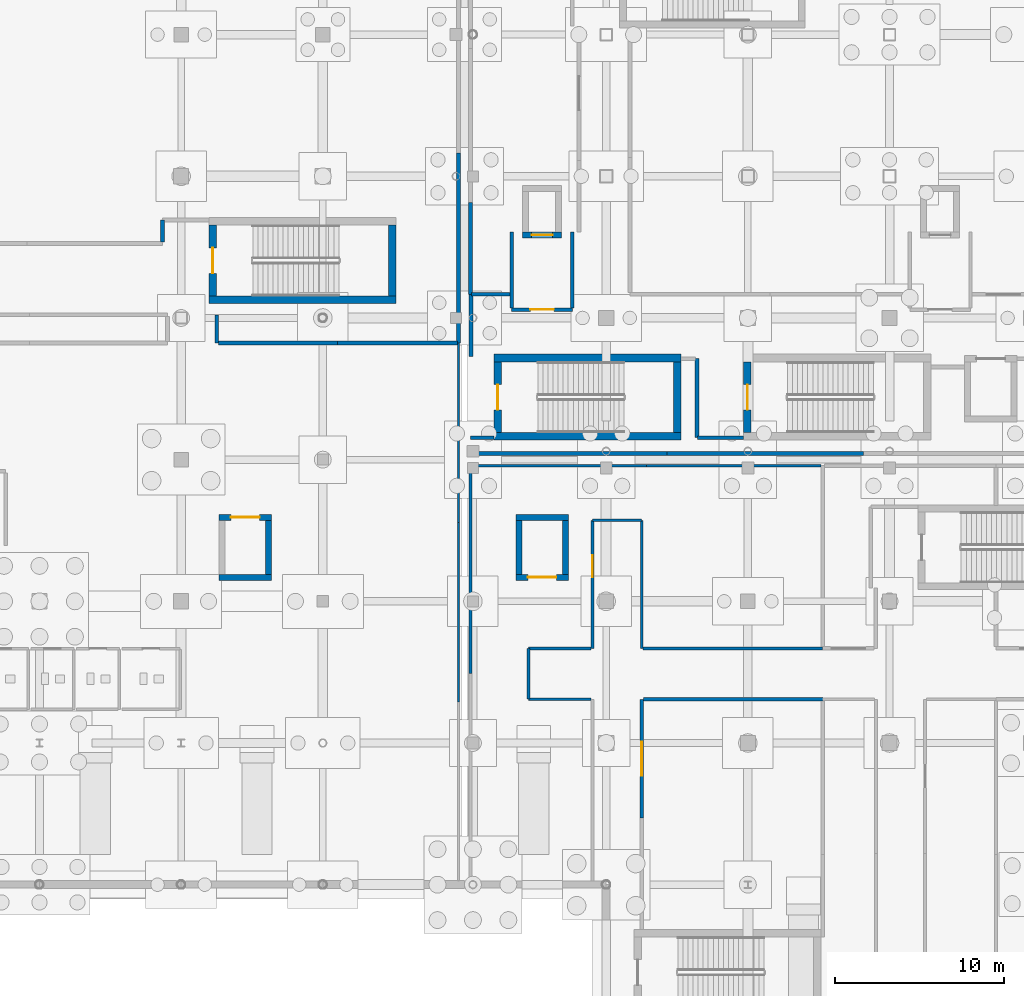
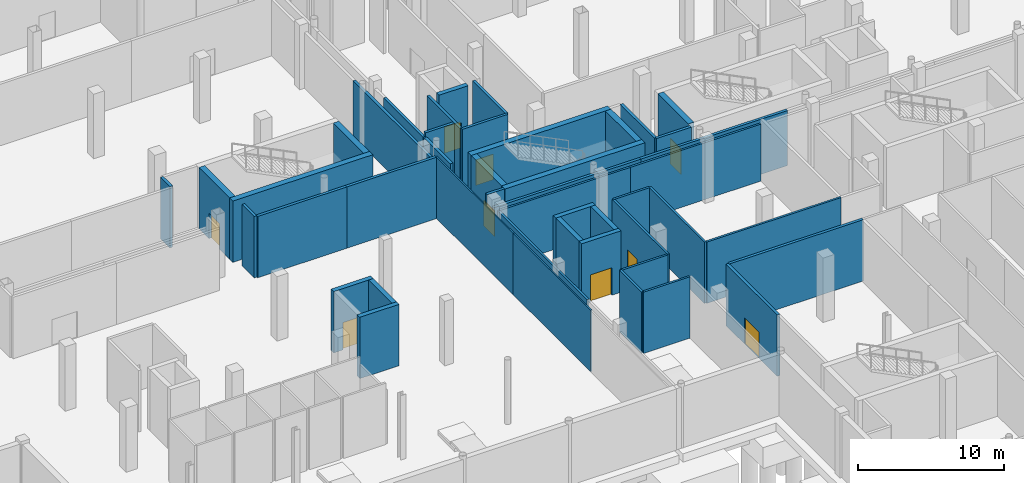
# One storey, part 29 of 49: 46 walls, 9 doors, 9 openings.
"""IFC4 building model written with IfcOpenShell, lengths in metres."""

from ifc_helpers import new_model, si_unit, direction, frame, frame_2d, origin, place, context, subcontext, project, spatial, rectangle, extrude, material, layer, layer_set, type_object, element, fill, save


model = new_model("IFC4")

# Units and contexts
model_context = context("Model", 3, precision=1e-05, world=origin(), true_north=direction((0.0, 1.0)))
body_context = subcontext(model_context, "Body", "Model", "MODEL_VIEW")
ifc_project = project(units=[si_unit("LENGTHUNIT", "METRE"), si_unit("AREAUNIT", "SQUARE_METRE"), si_unit("VOLUMEUNIT", "CUBIC_METRE"), si_unit("PLANEANGLEUNIT", "RADIAN"), si_unit("MASSUNIT", "GRAM", prefix="KILO"), si_unit("THERMODYNAMICTEMPERATUREUNIT", "KELVIN")], contexts=[model_context])

# Site, building, storey
site_placement = place(None, origin())
site = spatial("IfcSite", under=ifc_project, at=site_placement, CompositionType="ELEMENT")
building_placement = place(site_placement, origin())
building = spatial("IfcBuilding", under=site, at=building_placement, Name="Lustrewick Department Store", CompositionType="ELEMENT")
storey_placement = place(building_placement, frame((0.0, 0.0, -5.39990234375)))
storey = spatial("IfcBuildingStorey", under=building, at=storey_placement, Name="B1", CompositionType="ELEMENT", Elevation=-5.39990234375)

# Walls
ifc_material_1 = material(Name="Autoclaved aerated concrete blockwork and fire board", Category="masonry")
ifc_layer_1 = layer(ifc_material_1, 0.219970703125, Name="Autoclaved aerated concrete blockwork and fire board")
ifc_layer_set_1 = layer_set([ifc_layer_1], Name="Autoclaved aerated concrete blockwork and fire board")
wall_type_1 = type_object("IfcWallType", Name="PW01", PredefinedType="PARTITIONING", material=ifc_layer_set_1)
wall_1_placement = place(storey_placement, frame((91.2900390625, 63.31494140625, 0.0), z_axis=(0.0, 0.0, 1.0), x_axis=(0.0, 1.0, 0.0)))
element("IfcWall", 1, at=wall_1_placement, inside=storey, type_object=wall_type_1, Name="B1 Forward Merchandise Stockroom PW01", PredefinedType="PARTITIONING", context=body_context, shape_type="SweptSolid", body=[
    extrude(rectangle(XDim=1.28515625, YDim=0.219970703125, at=frame_2d((0.642578125, 0.0))), origin(), (0.0, 0.0, 1.0), 5.14501953125),
])
wall_2_placement = place(storey_placement, frame((94.510009765625, 58.989990234375, 0.0), z_axis=(0.0, 0.0, 1.0), x_axis=(0.0, -1.0, 0.0)))
element("IfcWall", 2, at=wall_2_placement, inside=storey, type_object=wall_type_1, Name="B1 Forward Merchandise Stockroom PW01", PredefinedType="PARTITIONING", context=body_context, shape_type="SweptSolid", body=[
    extrude(rectangle(XDim=1.67626953125, YDim=0.219970703125, at=frame_2d((0.838134765625, 0.0))), origin(), (0.0, 0.0, 1.0), 5.14501953125),
])
wall_3_placement = place(storey_placement, frame((94.614990234375, 57.313720703125, 0.0), z_axis=(0.0, 0.0, 1.0), x_axis=(1.0, 0.0, 0.0)))
element("IfcWall", 3, at=wall_3_placement, inside=storey, type_object=wall_type_1, Name="B1 Forward Merchandise Stockroom PW01", PredefinedType="PARTITIONING", context=body_context, shape_type="SweptSolid", body=[
    extrude(rectangle(XDim=7.06005859375, YDim=0.219970703125, at=frame_2d((3.530029296875, 0.0))), origin(), (0.0, 0.0, 1.0), 5.14501953125),
])
wall_4_placement = place(storey_placement, frame((101.675048828125, 57.313720703125, 0.0), z_axis=(0.0, 0.0, 1.0), x_axis=(1.0, 0.0, 0.0)))
element("IfcWall", 4, at=wall_4_placement, inside=storey, type_object=wall_type_1, Name="B1 Forward Merchandise Stockroom PW01", PredefinedType="PARTITIONING", context=body_context, shape_type="SweptSolid", body=[
    extrude(rectangle(XDim=7.117431640625, YDim=0.219970703125, at=frame_2d((3.55859375, 0.0))), origin(), (0.0, 0.0, 1.0), 5.14501953125),
])
wall_5_placement = place(storey_placement, frame((108.840087890625, 57.313720703125, 0.0), z_axis=(0.0, 0.0, 1.0), x_axis=(0.0, 1.0, 0.0)))
element("IfcWall", 5, at=wall_5_placement, inside=storey, type_object=wall_type_1, Name="B1 Forward Merchandise Stockroom PW01", PredefinedType="PARTITIONING", context=body_context, shape_type="SweptSolid", body=[
    extrude(rectangle(XDim=11.266357421875, YDim=0.219970703125, at=frame_2d((5.63330078125, 0.0))), origin(), (0.0, 0.0, 1.0), 4.681884765625),
])

# Wall, opening, door
wall_6_placement = place(storey_placement, frame((119.7099609375, 36.18994140625, 0.0), z_axis=(0.0, 0.0, 1.0), x_axis=(0.0, -1.0, 0.0)))
wall_6 = element("IfcWall", 6, at=wall_6_placement, inside=storey, type_object=wall_type_1, Name="B1 V3 Reserve Stockroom 1 PW01", PredefinedType="PARTITIONING", context=body_context, shape_type="SweptSolid", body=[
    extrude(rectangle(XDim=7.0400390625, YDim=0.219970703125, at=frame_2d((3.52001953125, 0.0))), origin(), (0.0, 0.0, 1.0), 5.14501953125),
])
opening_1_placement = place(wall_6_placement, frame((2.52001953125, 0.0, 0.0)))
opening_1 = element("IfcOpeningElement", 7, at=opening_1_placement, cuts=wall_6, Name="Opening D-B1-060", PredefinedType="OPENING", context=body_context, shape_type="SweptSolid", body=[
    extrude(rectangle(XDim=2.0, YDim=2.199951171875, at=frame_2d((1.0, 1.10009765625))), frame((0.0, 0.1201171875, 0.0), z_axis=(0.0, -1.0, 0.0), x_axis=(1.0, 0.0, 0.0)), (0.0, 0.0, 1.0), 0.239990234375),
])
ifc_material_2 = material(Name="Steel fire door Class A EI 90", Category="steel")
door_type_1 = type_object("IfcDoorType", Name="DT-06", OperationType="NOTDEFINED", PredefinedType="DOOR", material=ifc_material_2)
door_1_placement = place(opening_1_placement, origin())
door_1 = element("IfcDoor", 8, at=door_1_placement, inside=storey, type_object=door_type_1, Name="B1 V3 Reserve Stockroom 1 Door D-B1-060", OperationType="DOUBLE_DOOR_SINGLE_SWING", OverallHeight=2.199951171875, OverallWidth=2.0, PredefinedType="DOOR", context=body_context, shape_type="SweptSolid", body=[
    extrude(rectangle(XDim=2.0, YDim=2.199951171875, at=frame_2d((1.0, 1.10009765625))), frame((0.0, 0.02490234375, 0.0), z_axis=(0.0, -1.0, 0.0), x_axis=(1.0, 0.0, 0.0)), (0.0, 0.0, 1.0), 0.050048828125),
])
fill(opening_1, door_1)

# Walls
wall_7_placement = place(storey_placement, frame((130.440185546875, 36.18994140625, 0.0), z_axis=(0.0, 0.0, 1.0), x_axis=(-1.0, 0.0, 0.0)))
element("IfcWall", 9, at=wall_7_placement, inside=storey, type_object=wall_type_1, Name="B1 V3 Reserve Stockroom 1 PW01", PredefinedType="PARTITIONING", context=body_context, shape_type="SweptSolid", body=[
    extrude(rectangle(XDim=10.625244140625, YDim=0.219970703125, at=frame_2d((5.3125, 0.0))), origin(), (0.0, 0.0, 1.0), 5.14501953125),
])
wall_8_placement = place(storey_placement, frame((109.590087890625, 56.510009765625, 0.0), z_axis=(0.0, 0.0, 1.0), x_axis=(0.0, 1.0, 0.0)))
element("IfcWall", 10, at=wall_8_placement, inside=storey, type_object=wall_type_1, Name="B1 V4 Reserve Stockroom 1 PW01", PredefinedType="PARTITIONING", context=body_context, shape_type="SweptSolid", body=[
    extrude(rectangle(XDim=3.68994140625, YDim=0.219970703125, at=frame_2d((1.844970703125, 0.0))), origin(), (0.0, 0.0, 1.0), 4.77197265625),
])
wall_9_placement = place(storey_placement, frame((109.60009765625, 60.2099609375, 0.0), z_axis=(0.0, 0.0, 1.0), x_axis=(1.0, 0.0, 0.0)))
element("IfcWall", 11, at=wall_9_placement, inside=storey, type_object=wall_type_1, Name="B1 V4 Reserve Stockroom 1 PW01", PredefinedType="PARTITIONING", context=body_context, shape_type="SweptSolid", body=[
    extrude(rectangle(XDim=2.302490234375, YDim=0.219970703125, at=frame_2d((1.1513671875, 0.0))), origin(), (0.0, 0.0, 1.0), 5.14501953125),
])
wall_10_placement = place(storey_placement, frame((109.56005859375, 65.635986328125, 0.0), z_axis=(0.0, 0.0, 1.0), x_axis=(0.0, -1.0, 0.0)))
element("IfcWall", 12, at=wall_10_placement, inside=storey, type_object=wall_type_1, Name="B1 V4 Reserve Stockroom 1 PW01", PredefinedType="PARTITIONING", context=body_context, shape_type="SweptSolid", body=[
    extrude(rectangle(XDim=5.43603515625, YDim=0.219970703125, at=frame_2d((2.718017578125, 0.0))), origin(), (0.0, 0.0, 1.0), 4.77197265625),
])
wall_11_placement = place(storey_placement, frame((122.989990234375, 51.699951171875, 0.0), z_axis=(0.0, 0.0, 1.0), x_axis=(0.0, 1.0, 0.0)))
element("IfcWall", 13, at=wall_11_placement, inside=storey, type_object=wall_type_1, Name="B1 Central Merchandise Stockroom PW01", PredefinedType="PARTITIONING", context=body_context, shape_type="SweptSolid", body=[
    extrude(rectangle(XDim=4.68994140625, YDim=0.219970703125, at=frame_2d((2.344970703125, 0.0))), origin(), (0.0, 0.0, 1.0), 5.14501953125),
])
wall_12_placement = place(storey_placement, frame((125.75, 51.68994140625, 0.0), z_axis=(0.0, 0.0, 1.0), x_axis=(-1.0, 0.0, 0.0)))
element("IfcWall", 14, at=wall_12_placement, inside=storey, type_object=wall_type_1, Name="B1 Central Merchandise Stockroom PW01", PredefinedType="PARTITIONING", context=body_context, shape_type="SweptSolid", body=[
    extrude(rectangle(XDim=2.75, YDim=0.219970703125, at=frame_2d((1.375, 0.0))), origin(), (0.0, 0.0, 1.0), 5.14501953125),
])
wall_13_placement = place(storey_placement, frame((110.949951171875, 51.68994140625, 0.0), z_axis=(0.0, 0.0, 1.0), x_axis=(-1.0, 0.0, 0.0)))
element("IfcWall", 15, at=wall_13_placement, inside=storey, type_object=wall_type_1, Name="B1 Central Merchandise Stockroom PW01", PredefinedType="PARTITIONING", context=body_context, shape_type="SweptSolid", body=[
    extrude(rectangle(XDim=1.389892578125, YDim=0.219970703125, at=frame_2d((0.69482421875, 0.0))), origin(), (0.0, 0.0, 1.0), 5.14501953125),
])
for number, where, z_axis, x_axis, name in (
    (16, (109.56005859375, 50.760009765625, 0.0), (0.0, 0.0, 1.0), (1.0, 0.0, 0.0), "B1 Central Merchandise Stockroom PW01"),
    (17, (121.2060546875, 50.760009765625, 0.0), (0.0, 0.0, 1.0), (1.0, 0.0, 0.0), "B1 Central Merchandise Stockroom PW01"),
):
    element("IfcWall", number, at=place(storey_placement, frame(where, z_axis=z_axis, x_axis=x_axis)), inside=storey, type_object=wall_type_1, Name=name, PredefinedType="PARTITIONING", context=body_context, shape_type="SweptSolid", body=[
        extrude(rectangle(XDim=11.64599609375, YDim=0.219970703125, at=frame_2d((5.822998046875, 0.0))), origin(), (0.0, 0.0, 1.0), 4.615966796875),
    ])

# Wall, opening, door
ifc_layer_2 = layer(ifc_material_1, 0.205078125, Name="Autoclaved aerated concrete blockwork and fire board")
ifc_layer_set_2 = layer_set([ifc_layer_2], Name="Autoclaved aerated concrete blockwork and fire board")
wall_type_2 = type_object("IfcWallType", Name="PW02", PredefinedType="PARTITIONING", material=ifc_layer_set_2)
wall_14_placement = place(storey_placement, frame((112.0, 59.300048828125, 0.0), z_axis=(0.0, 0.0, 1.0), x_axis=(1.0, 0.0, 0.0)))
wall_14 = element("IfcWall", 18, at=wall_14_placement, inside=storey, type_object=wall_type_2, Name="B1 Firefighting Lift Lobby FFL-04 PW02", PredefinedType="PARTITIONING", context=body_context, shape_type="SweptSolid", body=[
    extrude(rectangle(XDim=3.60009765625, YDim=0.205078125, at=frame_2d((1.800048828125, 0.0))), origin(), (0.0, 0.0, 1.0), 5.14501953125),
])
opening_2_placement = place(wall_14_placement, frame((1.10009765625, 0.0, 0.0)))
opening_2 = element("IfcOpeningElement", 19, at=opening_2_placement, cuts=wall_14, Name="Opening D-B1-066", PredefinedType="OPENING", context=body_context, shape_type="SweptSolid", body=[
    extrude(rectangle(XDim=1.39990234375, YDim=2.14990234375, at=frame_2d((0.699951171875, 1.074951171875))), frame((0.0, 0.112548828125, 0.0), z_axis=(0.0, -1.0, 0.0), x_axis=(1.0, 0.0, 0.0)), (0.0, 0.0, 1.0), 0.22509765625),
])
ifc_material_3 = material(Name="Steel fire door Class B EI 60", Category="steel")
door_type_2 = type_object("IfcDoorType", Name="DT-08", OperationType="NOTDEFINED", PredefinedType="DOOR", material=ifc_material_3)
door_2_placement = place(opening_2_placement, origin())
door_2 = element("IfcDoor", 20, at=door_2_placement, inside=storey, type_object=door_type_2, Name="B1 Firefighting Lift Lobby FFL-04 Door D-B1-066", OperationType="SINGLE_SWING_RIGHT", OverallHeight=2.14990234375, OverallWidth=1.39990234375, PredefinedType="DOOR", context=body_context, shape_type="SweptSolid", body=[
    extrude(rectangle(XDim=1.39990234375, YDim=2.14990234375, at=frame_2d((0.699951171875, 1.074951171875))), frame((0.0, 0.02490234375, 0.0), z_axis=(0.0, -1.0, 0.0), x_axis=(1.0, 0.0, 0.0)), (0.0, 0.0, 1.0), 0.050048828125),
])
fill(opening_2, door_2)

# Walls
for number, where, z_axis, x_axis, name in (
    (21, (115.60009765625, 59.3974609375, 0.0), (0.0, 0.0, 1.0), (0.0, 1.0, 0.0), "B1 Firefighting Lift Lobby FFL-04 PW02"),
    (22, (112.0, 63.89990234375, 0.0), (0.0, 0.0, 1.0), (0.0, -1.0, 0.0), "B1 Firefighting Lift Lobby FFL-04 PW02"),
):
    element("IfcWall", number, at=place(storey_placement, frame(where, z_axis=z_axis, x_axis=x_axis)), inside=storey, type_object=wall_type_2, Name=name, PredefinedType="PARTITIONING", context=body_context, shape_type="SweptSolid", body=[
        extrude(rectangle(XDim=4.50244140625, YDim=0.205078125, at=frame_2d((2.251220703125, 0.0))), origin(), (0.0, 0.0, 1.0), 5.14501953125),
    ])

# Wall, opening, door
ifc_material_4 = material(Name="Double-stud gypsum fire board with mineral wool", Category="gypsum")
ifc_layer_3 = layer(ifc_material_4, 0.1650390625, Name="Double-stud gypsum fire board with mineral wool")
ifc_layer_set_3 = layer_set([ifc_layer_3], Name="Double-stud gypsum fire board with mineral wool")
wall_type_3 = type_object("IfcWallType", Name="PW04", PredefinedType="PARTITIONING", material=ifc_layer_set_3)
wall_15_placement = place(storey_placement, frame((116.7900390625, 39.2099609375, 0.0), z_axis=(0.0, 0.0, 1.0), x_axis=(0.0, 1.0, 0.0)))
wall_15 = element("IfcWall", 23, at=wall_15_placement, inside=storey, type_object=wall_type_3, Name="B1 Chiller and Heat Exchange Plant PW04", PredefinedType="PARTITIONING", context=body_context, shape_type="SweptSolid", body=[
    extrude(rectangle(XDim=7.590087890625, YDim=0.1650390625, at=frame_2d((3.794921875, 0.0))), origin(), (0.0, 0.0, 1.0), 5.14501953125),
])
opening_3_placement = place(wall_15_placement, frame((4.20751953125, 0.0, 0.0)))
opening_3 = element("IfcOpeningElement", 24, at=opening_3_placement, cuts=wall_15, Name="Opening D-B1-062", PredefinedType="OPENING", context=body_context, shape_type="SweptSolid", body=[
    extrude(rectangle(XDim=1.300048828125, YDim=2.199951171875, at=frame_2d((0.64990234375, 1.10009765625))), frame((0.0, 0.092529296875, 0.0), z_axis=(0.0, -1.0, 0.0), x_axis=(1.0, 0.0, 0.0)), (0.0, 0.0, 1.0), 0.18505859375),
])
door_type_3 = type_object("IfcDoorType", Name="DT-13", OperationType="NOTDEFINED", PredefinedType="DOOR", material=ifc_material_2)
door_3_placement = place(opening_3_placement, origin())
door_3 = element("IfcDoor", 25, at=door_3_placement, inside=storey, type_object=door_type_3, Name="B1 Chiller and Heat Exchange Plant Door D-B1-062", OperationType="SINGLE_SWING_LEFT", OverallHeight=2.199951171875, OverallWidth=1.300048828125, PredefinedType="DOOR", context=body_context, shape_type="SweptSolid", body=[
    extrude(rectangle(XDim=1.300048828125, YDim=2.199951171875, at=frame_2d((0.64990234375, 1.10009765625))), frame((0.0, 0.02490234375, 0.0), z_axis=(0.0, -1.0, 0.0), x_axis=(1.0, 0.0, 0.0)), (0.0, 0.0, 1.0), 0.050048828125),
])
fill(opening_3, door_3)

# Walls
wall_16_placement = place(storey_placement, frame((119.7099609375, 46.800048828125, 0.0), z_axis=(0.0, 0.0, 1.0), x_axis=(0.0, -1.0, 0.0)))
element("IfcWall", 26, at=wall_16_placement, inside=storey, type_object=wall_type_3, Name="B1 Chiller and Heat Exchange Plant PW04", PredefinedType="PARTITIONING", context=body_context, shape_type="SweptSolid", body=[
    extrude(rectangle(XDim=7.590087890625, YDim=0.1650390625, at=frame_2d((3.794921875, 0.0))), origin(), (0.0, 0.0, 1.0), 5.14501953125),
])
wall_17_placement = place(storey_placement, frame((119.78759765625, 39.2099609375, 0.0), z_axis=(0.0, 0.0, 1.0), x_axis=(1.0, 0.0, 0.0)))
element("IfcWall", 27, at=wall_17_placement, inside=storey, type_object=wall_type_3, Name="B1 Chiller and Heat Exchange Plant PW04", PredefinedType="PARTITIONING", context=body_context, shape_type="SweptSolid", body=[
    extrude(rectangle(XDim=10.652587890625, YDim=0.1650390625, at=frame_2d((5.326171875, 0.0))), origin(), (0.0, 0.0, 1.0), 5.14501953125),
])
for number, where, z_axis, x_axis, name in (
    (28, (116.71240234375, 36.18994140625, 0.0), (0.0, 0.0, 1.0), (-1.0, 0.0, 0.0), "B1 Chiller and Heat Exchange Plant PW04"),
    (29, (113.0, 39.2099609375, 0.0), (0.0, 0.0, 1.0), (1.0, 0.0, 0.0), "B1 Chiller and Heat Exchange Plant PW04"),
):
    element("IfcWall", number, at=place(storey_placement, frame(where, z_axis=z_axis, x_axis=x_axis)), inside=storey, type_object=wall_type_3, Name=name, PredefinedType="PARTITIONING", context=body_context, shape_type="SweptSolid", body=[
        extrude(rectangle(XDim=3.71240234375, YDim=0.1650390625, at=frame_2d((1.856201171875, 0.0))), origin(), (0.0, 0.0, 1.0), 5.14501953125),
    ])
wall_18_placement = place(storey_placement, frame((112.989990234375, 36.199951171875, 0.0), z_axis=(0.0, 0.0, 1.0), x_axis=(0.0, 1.0, 0.0)))
element("IfcWall", 30, at=wall_18_placement, inside=storey, type_object=wall_type_3, Name="B1 Chiller and Heat Exchange Plant PW04", PredefinedType="PARTITIONING", context=body_context, shape_type="SweptSolid", body=[
    extrude(rectangle(XDim=3.0, YDim=0.1650390625, at=frame_2d((1.5, 0.0))), origin(), (0.0, 0.0, 1.0), 5.14501953125),
])
wall_19_placement = place(storey_placement, frame((116.800048828125, 46.81005859375, 0.0), z_axis=(0.0, 0.0, 1.0), x_axis=(1.0, 0.0, 0.0)))
element("IfcWall", 31, at=wall_19_placement, inside=storey, type_object=wall_type_3, Name="B1 Chiller and Heat Exchange Plant PW04", PredefinedType="PARTITIONING", context=body_context, shape_type="SweptSolid", body=[
    extrude(rectangle(XDim=2.89990234375, YDim=0.1650390625, at=frame_2d((1.449951171875, 0.0))), origin(), (0.0, 0.0, 1.0), 5.14501953125),
])
wall_20_placement = place(storey_placement, frame((109.56005859375, 50.0400390625, 0.0), z_axis=(0.0, 0.0, 1.0), x_axis=(0.0, -1.0, 0.0)))
element("IfcWall", 32, at=wall_20_placement, inside=storey, type_object=wall_type_3, Name="B1 Chiller and Heat Exchange Plant PW04", PredefinedType="PARTITIONING", context=body_context, shape_type="SweptSolid", body=[
    extrude(rectangle(XDim=12.31494140625, YDim=0.1650390625, at=frame_2d((6.157470703125, 0.0))), origin(), (0.0, 0.0, 1.0), 4.77197265625),
])
wall_21_placement = place(storey_placement, frame((130.335205078125, 50.0400390625, 0.0), z_axis=(0.0, 0.0, 1.0), x_axis=(-1.0, 0.0, 0.0)))
element("IfcWall", 33, at=wall_21_placement, inside=storey, type_object=wall_type_3, Name="B1 Chiller and Heat Exchange Plant PW04", PredefinedType="PARTITIONING", context=body_context, shape_type="SweptSolid", body=[
    extrude(rectangle(XDim=10.335205078125, YDim=0.1650390625, at=frame_2d((5.16748046875, 0.0))), origin(), (0.0, 0.0, 1.0), 4.77197265625),
])
wall_22_placement = place(storey_placement, frame((120.0, 50.0400390625, 0.0), z_axis=(0.0, 0.0, 1.0), x_axis=(-1.0, 0.0, 0.0)))
element("IfcWall", 34, at=wall_22_placement, inside=storey, type_object=wall_type_3, Name="B1 Chiller and Heat Exchange Plant PW04", PredefinedType="PARTITIONING", context=body_context, shape_type="SweptSolid", body=[
    extrude(rectangle(XDim=10.362548828125, YDim=0.1650390625, at=frame_2d((5.18115234375, 0.0))), origin(), (0.0, 0.0, 1.0), 4.77197265625),
])
ifc_material_5 = material(Name="Lightweight demountable studio partition", Category="gypsum")
ifc_layer_4 = layer(ifc_material_5, 0.10498046875, Name="Lightweight demountable studio partition")
ifc_layer_set_4 = layer_set([ifc_layer_4], Name="Lightweight demountable studio partition")
wall_type_4 = type_object("IfcWallType", Name="PW08", PredefinedType="PARTITIONING", material=ifc_layer_set_4)
for number, where, z_axis, x_axis, name in (
    (35, (108.840087890625, 36.044677734375, 0.0), (0.0, 0.0, 1.0), (0.0, 1.0, 0.0), "B1 All-Electric Gourmet Market PW08"),
    (36, (108.840087890625, 46.67919921875, 0.0), (0.0, 0.0, 1.0), (0.0, 1.0, 0.0), "B1 All-Electric Gourmet Market PW08"),
):
    element("IfcWall", number, at=place(storey_placement, frame(where, z_axis=z_axis, x_axis=x_axis)), inside=storey, type_object=wall_type_4, Name=name, PredefinedType="PARTITIONING", context=body_context, shape_type="SweptSolid", body=[
        extrude(rectangle(XDim=10.634521484375, YDim=0.10498046875, at=frame_2d((5.3173828125, 0.0))), origin(), (0.0, 0.0, 1.0), 5.14501953125),
    ])
ifc_material_6 = material(Name="Concrete C50", Category="concrete")
ifc_layer_5 = layer(ifc_material_6, 0.449951171875, Name="Concrete C50")
ifc_layer_set_5 = layer_set([ifc_layer_5], Name="Concrete C50")
wall_type_5 = type_object("IfcWallType", Name="SW01", PredefinedType="SHEAR", material=ifc_layer_set_5)
wall_23_placement = place(storey_placement, frame((94.050048828125, 59.875, 0.0), z_axis=(0.0, 0.0, 1.0), x_axis=(1.0, 0.0, 0.0)))
element("IfcWall", 37, at=wall_23_placement, inside=storey, type_object=wall_type_5, Name="B1 Stair Core ST05 Shear Wall S", PredefinedType="SHEAR", context=body_context, shape_type="SweptSolid", body=[
    extrude(rectangle(XDim=11.099853515625, YDim=0.449951171875, at=frame_2d((5.5498046875, 0.0))), origin(), (0.0, 0.0, 1.0), 5.14501953125),
])
wall_24_placement = place(storey_placement, frame((104.925048828125, 60.10009765625, 0.0), z_axis=(0.0, 0.0, 1.0), x_axis=(0.0, 1.0, 0.0)))
element("IfcWall", 38, at=wall_24_placement, inside=storey, type_object=wall_type_5, Name="B1 Stair Core ST05 Shear Wall E", PredefinedType="SHEAR", context=body_context, shape_type="SweptSolid", body=[
    extrude(rectangle(XDim=4.199951171875, YDim=0.449951171875, at=frame_2d((2.10009765625, 0.0))), origin(), (0.0, 0.0, 1.0), 5.14501953125),
])

# Wall, opening, door
wall_25_placement = place(storey_placement, frame((94.27490234375, 64.300048828125, 0.0), z_axis=(0.0, 0.0, 1.0), x_axis=(0.0, -1.0, 0.0)))
wall_25 = element("IfcWall", 39, at=wall_25_placement, inside=storey, type_object=wall_type_5, Name="B1 Stair Core ST05 Shear Wall W", PredefinedType="SHEAR", context=body_context, shape_type="SweptSolid", body=[
    extrude(rectangle(XDim=4.199951171875, YDim=0.449951171875, at=frame_2d((2.10009765625, 0.0))), origin(), (0.0, 0.0, 1.0), 5.14501953125),
])
opening_4_placement = place(wall_25_placement, frame((1.35009765625, 0.0, 0.0)))
opening_4 = element("IfcOpeningElement", 40, at=opening_4_placement, cuts=wall_25, Name="Opening D-B1-005", PredefinedType="OPENING", context=body_context, shape_type="SweptSolid", body=[
    extrude(rectangle(XDim=1.5, YDim=2.14990234375, at=frame_2d((0.75, 1.074951171875))), frame((0.0, 0.23486328125, 0.0), z_axis=(0.0, -1.0, 0.0), x_axis=(1.0, 0.0, 0.0)), (0.0, 0.0, 1.0), 0.469970703125),
])
door_type_4 = type_object("IfcDoorType", Name="DT-07", OperationType="NOTDEFINED", PredefinedType="DOOR", material=ifc_material_3)
door_4_placement = place(opening_4_placement, origin())
door_4 = element("IfcDoor", 41, at=door_4_placement, inside=storey, type_object=door_type_4, Name="B1 Smoke-Proof Stair ST05 Fire Door", OperationType="SINGLE_SWING_RIGHT", OverallHeight=2.14990234375, OverallWidth=1.5, PredefinedType="DOOR", context=body_context, shape_type="SweptSolid", body=[
    extrude(rectangle(XDim=1.5, YDim=2.14990234375, at=frame_2d((0.75, 1.074951171875))), frame((0.0, 0.02490234375, 0.0), z_axis=(0.0, -1.0, 0.0), x_axis=(1.0, 0.0, 0.0)), (0.0, 0.0, 1.0), 0.050048828125),
])
fill(opening_4, door_4)

# Walls
wall_26_placement = place(storey_placement, frame((110.949951171875, 51.77490234375, 0.0), z_axis=(0.0, 0.0, 1.0), x_axis=(1.0, 0.0, 0.0)))
element("IfcWall", 42, at=wall_26_placement, inside=storey, type_object=wall_type_5, Name="B1 Stair Core ST09 Shear Wall S", PredefinedType="SHEAR", context=body_context, shape_type="SweptSolid", body=[
    extrude(rectangle(XDim=11.10009765625, YDim=0.449951171875, at=frame_2d((5.550048828125, 0.0))), origin(), (0.0, 0.0, 1.0), 5.14501953125),
])
wall_27_placement = place(storey_placement, frame((121.824951171875, 52.0, 0.0), z_axis=(0.0, 0.0, 1.0), x_axis=(0.0, 1.0, 0.0)))
element("IfcWall", 43, at=wall_27_placement, inside=storey, type_object=wall_type_5, Name="B1 Stair Core ST09 Shear Wall E", PredefinedType="SHEAR", context=body_context, shape_type="SweptSolid", body=[
    extrude(rectangle(XDim=4.199951171875, YDim=0.449951171875, at=frame_2d((2.10009765625, 0.0))), origin(), (0.0, 0.0, 1.0), 5.14501953125),
])
wall_28_placement = place(storey_placement, frame((122.050048828125, 56.425048828125, 0.0), z_axis=(0.0, 0.0, 1.0), x_axis=(-1.0, 0.0, 0.0)))
element("IfcWall", 44, at=wall_28_placement, inside=storey, type_object=wall_type_5, Name="B1 Stair Core ST09 Shear Wall N", PredefinedType="SHEAR", context=body_context, shape_type="SweptSolid", body=[
    extrude(rectangle(XDim=11.10009765625, YDim=0.449951171875, at=frame_2d((5.550048828125, 0.0))), origin(), (0.0, 0.0, 1.0), 5.14501953125),
])

# Wall, opening, door
wall_29_placement = place(storey_placement, frame((111.175048828125, 56.199951171875, 0.0), z_axis=(0.0, 0.0, 1.0), x_axis=(0.0, -1.0, 0.0)))
wall_29 = element("IfcWall", 45, at=wall_29_placement, inside=storey, type_object=wall_type_5, Name="B1 Stair Core ST09 Shear Wall W", PredefinedType="SHEAR", context=body_context, shape_type="SweptSolid", body=[
    extrude(rectangle(XDim=4.199951171875, YDim=0.449951171875, at=frame_2d((2.10009765625, 0.0))), origin(), (0.0, 0.0, 1.0), 5.14501953125),
])
opening_5_placement = place(wall_29_placement, frame((1.35009765625, 0.0, 0.0)))
opening_5 = element("IfcOpeningElement", 46, at=opening_5_placement, cuts=wall_29, Name="Opening D-B1-009", PredefinedType="OPENING", context=body_context, shape_type="SweptSolid", body=[
    extrude(rectangle(XDim=1.5, YDim=2.14990234375, at=frame_2d((0.75, 1.074951171875))), frame((0.0, 0.23486328125, 0.0), z_axis=(0.0, -1.0, 0.0), x_axis=(1.0, 0.0, 0.0)), (0.0, 0.0, 1.0), 0.469970703125),
])
door_5_placement = place(opening_5_placement, origin())
door_5 = element("IfcDoor", 47, at=door_5_placement, inside=storey, type_object=door_type_4, Name="B1 Smoke-Proof Stair ST09 Fire Door", OperationType="SINGLE_SWING_RIGHT", OverallHeight=2.14990234375, OverallWidth=1.5, PredefinedType="DOOR", context=body_context, shape_type="SweptSolid", body=[
    extrude(rectangle(XDim=1.5, YDim=2.14990234375, at=frame_2d((0.75, 1.074951171875))), frame((0.0, 0.02490234375, 0.0), z_axis=(0.0, -1.0, 0.0), x_axis=(1.0, 0.0, 0.0)), (0.0, 0.0, 1.0), 0.050048828125),
])
fill(opening_5, door_5)

wall_30_placement = place(storey_placement, frame((125.97509765625, 56.199951171875, 0.0), z_axis=(0.0, 0.0, 1.0), x_axis=(0.0, -1.0, 0.0)))
wall_30 = element("IfcWall", 48, at=wall_30_placement, inside=storey, type_object=wall_type_5, Name="B1 Stair Core ST11 Shear Wall W", PredefinedType="SHEAR", context=body_context, shape_type="SweptSolid", body=[
    extrude(rectangle(XDim=4.199951171875, YDim=0.449951171875, at=frame_2d((2.10009765625, 0.0))), origin(), (0.0, 0.0, 1.0), 5.14501953125),
])
opening_6_placement = place(wall_30_placement, frame((1.35009765625, 0.0, 0.0)))
opening_6 = element("IfcOpeningElement", 49, at=opening_6_placement, cuts=wall_30, Name="Opening D-B1-011", PredefinedType="OPENING", context=body_context, shape_type="SweptSolid", body=[
    extrude(rectangle(XDim=1.5, YDim=2.14990234375, at=frame_2d((0.75, 1.074951171875))), frame((0.0, 0.23486328125, 0.0), z_axis=(0.0, -1.0, 0.0), x_axis=(1.0, 0.0, 0.0)), (0.0, 0.0, 1.0), 0.469970703125),
])
door_6_placement = place(opening_6_placement, origin())
door_6 = element("IfcDoor", 50, at=door_6_placement, inside=storey, type_object=door_type_4, Name="B1 Smoke-Proof Stair ST11 Fire Door", OperationType="SINGLE_SWING_RIGHT", OverallHeight=2.14990234375, OverallWidth=1.5, PredefinedType="DOOR", context=body_context, shape_type="SweptSolid", body=[
    extrude(rectangle(XDim=1.5, YDim=2.14990234375, at=frame_2d((0.75, 1.074951171875))), frame((0.0, 0.02490234375, 0.0), z_axis=(0.0, -1.0, 0.0), x_axis=(1.0, 0.0, 0.0)), (0.0, 0.0, 1.0), 0.050048828125),
])
fill(opening_6, door_6)

ifc_material_7 = material(Name="Concrete C40", Category="concrete")
ifc_layer_6 = layer(ifc_material_7, 0.360107421875, Name="Concrete C40")
ifc_layer_set_6 = layer_set([ifc_layer_6], Name="Concrete C40")
wall_type_6 = type_object("IfcWallType", Name="SW04", PredefinedType="SHEAR", material=ifc_layer_set_6)
wall_31_placement = place(storey_placement, frame((112.639892578125, 63.719970703125, 0.0), z_axis=(0.0, 0.0, 1.0), x_axis=(1.0, 0.0, 0.0)))
wall_31 = element("IfcWall", 51, at=wall_31_placement, inside=storey, type_object=wall_type_6, Name="B1 Lift FFL-04 Shaft Wall -Y", PredefinedType="SHEAR", context=body_context, shape_type="SweptSolid", body=[
    extrude(rectangle(XDim=2.320068359375, YDim=0.360107421875, at=frame_2d((1.16015625, 0.0))), origin(), (0.0, 0.0, 1.0), 5.14501953125),
])
opening_7_placement = place(wall_31_placement, frame((0.534912109375, 0.0, 0.0)))
opening_7 = element("IfcOpeningElement", 52, at=opening_7_placement, cuts=wall_31, Name="Opening LD-B1-04", PredefinedType="OPENING", context=body_context, shape_type="SweptSolid", body=[
    extrude(rectangle(XDim=1.25, YDim=2.199951171875, at=frame_2d((0.625, 1.10009765625))), frame((0.0, 0.18994140625, 0.0), z_axis=(0.0, -1.0, 0.0), x_axis=(1.0, 0.0, 0.0)), (0.0, 0.0, 1.0), 0.380126953125),
])
ifc_material_8 = material(Name="Stainless steel firefighting lift landing door EI 90", Category="steel")
door_type_5 = type_object("IfcDoorType", Name="DT-15", OperationType="NOTDEFINED", PredefinedType="DOOR", material=ifc_material_8)
door_7_placement = place(opening_7_placement, frame((1.25, 0.0, 0.0), z_axis=(0.0, 0.0, 1.0), x_axis=(-1.0, 0.0, 0.0)))
door_7 = element("IfcDoor", 53, at=door_7_placement, inside=storey, type_object=door_type_5, Name="B1 Lift FFL-04 Sliding Landing Door LD-B1-04", OperationType="DOUBLE_DOOR_SLIDING", OverallHeight=2.199951171875, OverallWidth=1.25, PredefinedType="DOOR", context=body_context, shape_type="SweptSolid", body=[
    extrude(rectangle(XDim=1.25, YDim=2.199951171875, at=frame_2d((0.625, 1.10009765625))), frame((0.0, 0.02490234375, 0.0), z_axis=(0.0, -1.0, 0.0), x_axis=(1.0, 0.0, 0.0)), (0.0, 0.0, 1.0), 0.050048828125),
])
fill(opening_7, door_7)

# Walls
wall_32_placement = place(storey_placement, frame((94.639892578125, 43.419921875, 0.0), z_axis=(0.0, 0.0, 1.0), x_axis=(1.0, 0.0, 0.0)))
element("IfcWall", 54, at=wall_32_placement, inside=storey, type_object=wall_type_6, Name="B1 Lift GL-02 Shaft Wall -Y", PredefinedType="SHEAR", context=body_context, shape_type="SweptSolid", body=[
    extrude(rectangle(XDim=3.1201171875, YDim=0.360107421875, at=frame_2d((1.56005859375, 0.0))), origin(), (0.0, 0.0, 1.0), 5.14501953125),
])
wall_33_placement = place(storey_placement, frame((97.580078125, 43.60009765625, 0.0), z_axis=(0.0, 0.0, 1.0), x_axis=(0.0, 1.0, 0.0)))
element("IfcWall", 55, at=wall_33_placement, inside=storey, type_object=wall_type_6, Name="B1 Lift GL-02 Shaft Wall +X", PredefinedType="SHEAR", context=body_context, shape_type="SweptSolid", body=[
    extrude(rectangle(XDim=3.199951171875, YDim=0.360107421875, at=frame_2d((1.60009765625, 0.0))), origin(), (0.0, 0.0, 1.0), 5.14501953125),
])

# Wall, opening, door
wall_34_placement = place(storey_placement, frame((97.760009765625, 46.97998046875, 0.0), z_axis=(0.0, 0.0, 1.0), x_axis=(-1.0, 0.0, 0.0)))
wall_34 = element("IfcWall", 56, at=wall_34_placement, inside=storey, type_object=wall_type_6, Name="B1 Lift GL-02 Shaft Wall +Y", PredefinedType="SHEAR", context=body_context, shape_type="SweptSolid", body=[
    extrude(rectangle(XDim=3.1201171875, YDim=0.360107421875, at=frame_2d((1.56005859375, 0.0))), origin(), (0.0, 0.0, 1.0), 5.14501953125),
])
opening_8_placement = place(wall_34_placement, frame((0.7099609375, 0.0, 0.0)))
opening_8 = element("IfcOpeningElement", 57, at=opening_8_placement, cuts=wall_34, Name="Opening LD-B1-14", PredefinedType="OPENING", context=body_context, shape_type="SweptSolid", body=[
    extrude(rectangle(XDim=1.699951171875, YDim=2.300048828125, at=frame_2d((0.85009765625, 1.14990234375))), frame((0.0, 0.18994140625, 0.0), z_axis=(0.0, -1.0, 0.0), x_axis=(1.0, 0.0, 0.0)), (0.0, 0.0, 1.0), 0.380126953125),
])
ifc_material_9 = material(Name="Heavy-duty stainless goods lift landing door EI 90", Category="steel")
door_type_6 = type_object("IfcDoorType", Name="DT-17", OperationType="NOTDEFINED", PredefinedType="DOOR", material=ifc_material_9)
door_8_placement = place(opening_8_placement, frame((1.699951171875, 0.0, 0.0), z_axis=(0.0, 0.0, 1.0), x_axis=(-1.0, 0.0, 0.0)))
door_8 = element("IfcDoor", 58, at=door_8_placement, inside=storey, type_object=door_type_6, Name="B1 Lift GL-02 Sliding Landing Door LD-B1-14", OperationType="DOUBLE_DOOR_SLIDING", OverallHeight=2.300048828125, OverallWidth=1.699951171875, PredefinedType="DOOR", context=body_context, shape_type="SweptSolid", body=[
    extrude(rectangle(XDim=1.699951171875, YDim=2.300048828125, at=frame_2d((0.85009765625, 1.14990234375))), frame((0.0, 0.02490234375, 0.0), z_axis=(0.0, -1.0, 0.0), x_axis=(1.0, 0.0, 0.0)), (0.0, 0.0, 1.0), 0.050048828125),
])
fill(opening_8, door_8)

wall_35_placement = place(storey_placement, frame((112.239990234375, 43.419921875, 0.0), z_axis=(0.0, 0.0, 1.0), x_axis=(1.0, 0.0, 0.0)))
wall_35 = element("IfcWall", 59, at=wall_35_placement, inside=storey, type_object=wall_type_6, Name="B1 Lift GL-03 Shaft Wall -Y", PredefinedType="SHEAR", context=body_context, shape_type="SweptSolid", body=[
    extrude(rectangle(XDim=3.1201171875, YDim=0.360107421875, at=frame_2d((1.56005859375, 0.0))), origin(), (0.0, 0.0, 1.0), 5.14501953125),
])
opening_9_placement = place(wall_35_placement, frame((0.7099609375, 0.0, 0.0)))
opening_9 = element("IfcOpeningElement", 60, at=opening_9_placement, cuts=wall_35, Name="Opening LD-B1-15", PredefinedType="OPENING", context=body_context, shape_type="SweptSolid", body=[
    extrude(rectangle(XDim=1.699951171875, YDim=2.300048828125, at=frame_2d((0.85009765625, 1.14990234375))), frame((0.0, 0.18994140625, 0.0), z_axis=(0.0, -1.0, 0.0), x_axis=(1.0, 0.0, 0.0)), (0.0, 0.0, 1.0), 0.380126953125),
])
door_9_placement = place(opening_9_placement, frame((1.699951171875, 0.0, 0.0), z_axis=(0.0, 0.0, 1.0), x_axis=(-1.0, 0.0, 0.0)))
door_9 = element("IfcDoor", 61, at=door_9_placement, inside=storey, type_object=door_type_6, Name="B1 Lift GL-03 Sliding Landing Door LD-B1-15", OperationType="DOUBLE_DOOR_SLIDING", OverallHeight=2.300048828125, OverallWidth=1.699951171875, PredefinedType="DOOR", context=body_context, shape_type="SweptSolid", body=[
    extrude(rectangle(XDim=1.699951171875, YDim=2.300048828125, at=frame_2d((0.85009765625, 1.14990234375))), frame((0.0, 0.02490234375, 0.0), z_axis=(0.0, -1.0, 0.0), x_axis=(1.0, 0.0, 0.0)), (0.0, 0.0, 1.0), 0.050048828125),
])
fill(opening_9, door_9)

# Walls
wall_36_placement = place(storey_placement, frame((115.179931640625, 43.60009765625, 0.0), z_axis=(0.0, 0.0, 1.0), x_axis=(0.0, 1.0, 0.0)))
element("IfcWall", 62, at=wall_36_placement, inside=storey, type_object=wall_type_6, Name="B1 Lift GL-03 Shaft Wall +X", PredefinedType="SHEAR", context=body_context, shape_type="SweptSolid", body=[
    extrude(rectangle(XDim=3.199951171875, YDim=0.360107421875, at=frame_2d((1.60009765625, 0.0))), origin(), (0.0, 0.0, 1.0), 5.14501953125),
])
wall_37_placement = place(storey_placement, frame((115.360107421875, 46.97998046875, 0.0), z_axis=(0.0, 0.0, 1.0), x_axis=(-1.0, 0.0, 0.0)))
element("IfcWall", 63, at=wall_37_placement, inside=storey, type_object=wall_type_6, Name="B1 Lift GL-03 Shaft Wall +Y", PredefinedType="SHEAR", context=body_context, shape_type="SweptSolid", body=[
    extrude(rectangle(XDim=3.1201171875, YDim=0.360107421875, at=frame_2d((1.56005859375, 0.0))), origin(), (0.0, 0.0, 1.0), 5.14501953125),
])
wall_38_placement = place(storey_placement, frame((112.419921875, 46.800048828125, 0.0), z_axis=(0.0, 0.0, 1.0), x_axis=(0.0, -1.0, 0.0)))
element("IfcWall", 64, at=wall_38_placement, inside=storey, type_object=wall_type_6, Name="B1 Lift GL-03 Shaft Wall -X", PredefinedType="SHEAR", context=body_context, shape_type="SweptSolid", body=[
    extrude(rectangle(XDim=3.199951171875, YDim=0.360107421875, at=frame_2d((1.60009765625, 0.0))), origin(), (0.0, 0.0, 1.0), 5.14501953125),
])

save(model, "model.ifc")
